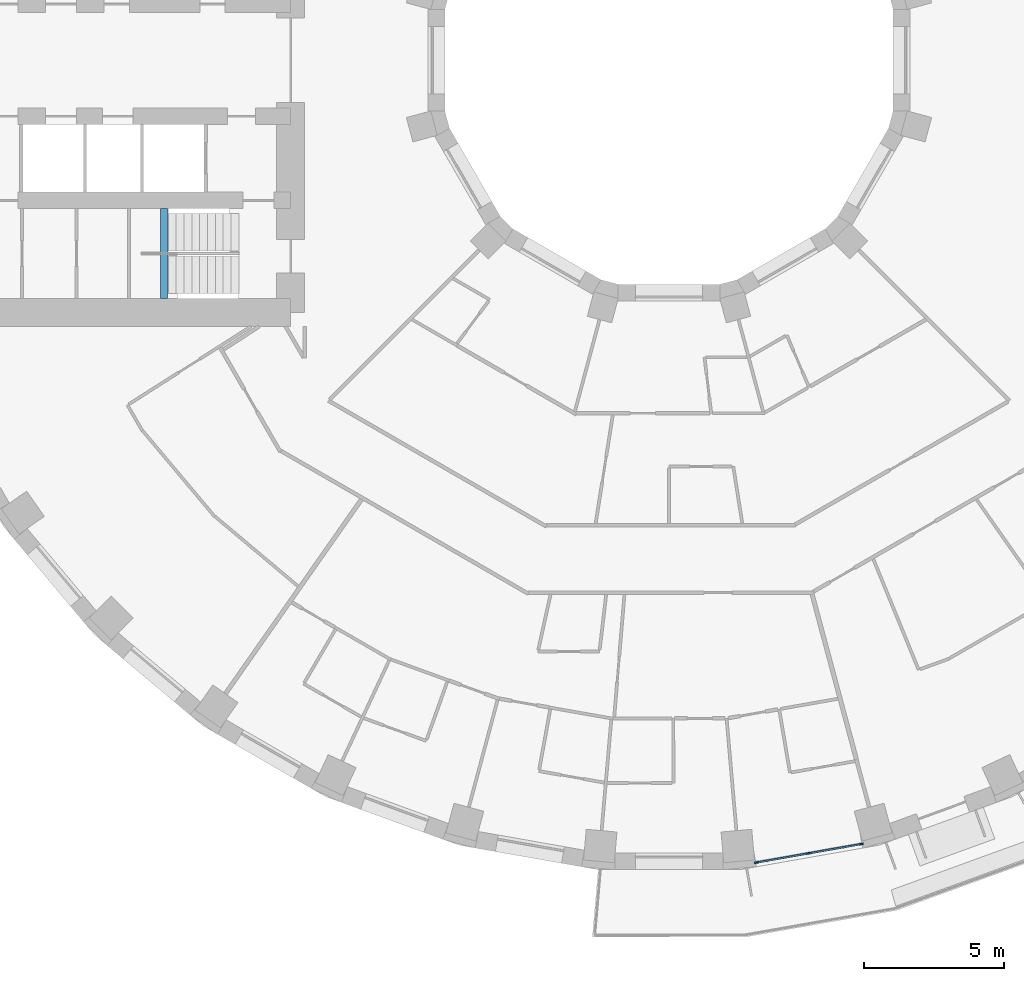
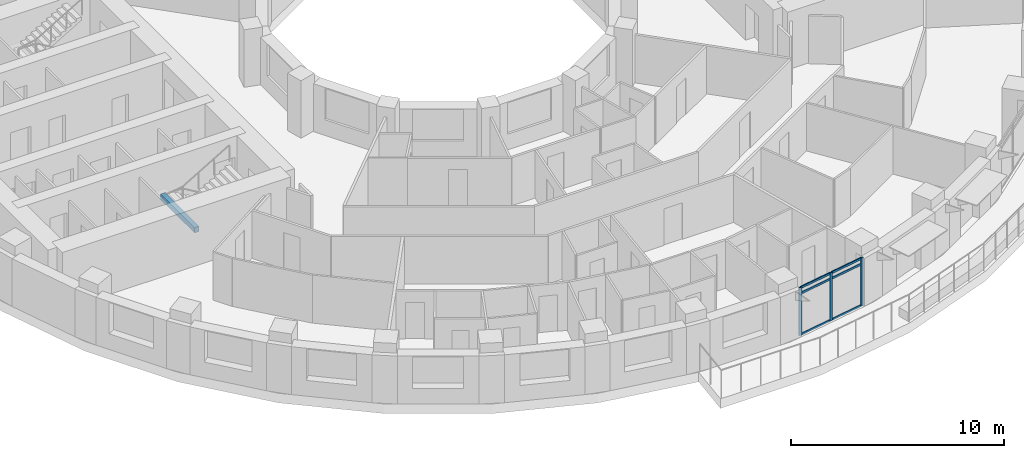
# One storey, part 2 of 17: 9 members, 1 beam, 1 element without a shape of its own.
"""IFC4 building model written with IfcOpenShell, lengths in metres."""

from ifc_helpers import new_model, si_unit, direction, frame, origin, origin_2d, place, context, subcontext, project, spatial, rectangle, extrude, material, layer, layer_set, material_profile, profile_set, type_object, element, aggregate, save


model = new_model("IFC4")

# Units and contexts
model_context = context("Model", 3, precision=1e-05, world=origin(), true_north=direction((0.0, 1.0)))
body_context = subcontext(model_context, "Body", "Model", "MODEL_VIEW")
ifc_project = project(units=[si_unit("LENGTHUNIT", "METRE"), si_unit("AREAUNIT", "SQUARE_METRE"), si_unit("VOLUMEUNIT", "CUBIC_METRE"), si_unit("PLANEANGLEUNIT", "RADIAN"), si_unit("MASSUNIT", "GRAM", prefix="KILO")], contexts=[model_context])

# Site, building, storey
site_placement = place(None, origin())
site = spatial("IfcSite", under=ifc_project, at=site_placement, CompositionType="ELEMENT")
building_placement = place(site_placement, origin())
building = spatial("IfcBuilding", under=site, at=building_placement, Name="Saqina Gate Tower", CompositionType="ELEMENT")
storey_placement = place(building_placement, frame((0.0, 0.0, 29.60009765625)))
storey = spatial("IfcBuildingStorey", under=building, at=storey_placement, Name="L07", CompositionType="ELEMENT", Elevation=29.60009765625)

# Curtain wall, members
ifc_material_1 = material(Name="Aluminium glazing", Category="aluminium")
ifc_layer = layer(ifc_material_1, 0.159912109375)
ifc_layer_set = layer_set([ifc_layer], Name="CWT-4")
curtain_wall_type = type_object("IfcCurtainWallType", Name="CWT-4", PredefinedType="NOTDEFINED", material=ifc_layer_set)
curtain_wall_placement = place(storey_placement, origin())
curtain_wall = element("IfcCurtainWall", 1, at=curtain_wall_placement, inside=storey, type_object=curtain_wall_type, Name="Terrace lounge glazing facet 28", PredefinedType="NOTDEFINED")
ifc_material_2 = material(Name="Aluminium", Category="aluminium")
ifc_material_profile_1 = material_profile(ifc_material_2, rectangle(XDim=0.06005859375, YDim=0.159912109375, at=origin_2d()), Name="Aluminium 60x160")
ifc_profile_set_1 = profile_set([ifc_material_profile_1], Name="Aluminium")
member_type_1 = type_object("IfcMemberType", Name="CWT-4M", PredefinedType="MULLION", material=ifc_profile_set_1)
member_1_placement = place(storey_placement, frame((3.12646484375, -28.631591796875, 0.0), z_axis=(0.0, 0.0, 1.0), x_axis=(-0.17364293059, 0.984808678199, 0.0)))
member_1 = element("IfcMember", 2, at=member_1_placement, type_object=member_type_1, Name="CW4-28 mullion 1", PredefinedType="MULLION", context=body_context, shape_type="SweptSolid", body=[
    extrude(rectangle(XDim=0.06005859375, YDim=0.159912109375, at=origin_2d()), origin(), (0.0, 0.0, 1.0), 2.75),
])
member_2_placement = place(storey_placement, frame((4.990478515625, -28.302978515625, 0.0), z_axis=(0.0, 0.0, 1.0), x_axis=(-0.17364293059, 0.984808678199, 0.0)))
member_2 = element("IfcMember", 3, at=member_2_placement, type_object=member_type_1, Name="CW4-28 mullion 2", PredefinedType="MULLION", context=body_context, shape_type="SweptSolid", body=[
    extrude(rectangle(XDim=0.06005859375, YDim=0.159912109375, at=origin_2d()), origin(), (0.0, 0.0, 1.0), 2.75),
])
member_3_placement = place(storey_placement, frame((6.854736328125, -27.974365234375, 0.0), z_axis=(0.0, 0.0, 1.0), x_axis=(-0.17364293059, 0.984808678199, 0.0)))
member_3 = element("IfcMember", 4, at=member_3_placement, type_object=member_type_1, Name="CW4-28 mullion 3", PredefinedType="MULLION", context=body_context, shape_type="SweptSolid", body=[
    extrude(rectangle(XDim=0.06005859375, YDim=0.159912109375, at=origin_2d()), origin(), (0.0, 0.0, 1.0), 2.75),
])
ifc_material_3 = material(Name="Aluminium", Category="aluminium")
ifc_material_profile_2 = material_profile(ifc_material_3, rectangle(XDim=0.06005859375, YDim=0.1201171875, at=origin_2d()), Name="Aluminium 60x120")
ifc_profile_set_2 = profile_set([ifc_material_profile_2], Name="Aluminium")
member_type_2 = type_object("IfcMemberType", Name="CWT-4T", PredefinedType="USERDEFINED", material=ifc_profile_set_2)
member_4_placement = place(storey_placement, frame((3.156005859375, -28.62646484375, 0.02978515625), z_axis=(0.984798306365, 0.173701743744, 0.0), x_axis=(-0.173701743744, 0.984798306365, 0.0)))
member_4 = element("IfcMember", 5, at=member_4_placement, type_object=member_type_2, Name="CW4-28 transom 1.1", ObjectType="TRANSOM", PredefinedType="USERDEFINED", context=body_context, shape_type="SweptSolid", body=[
    extrude(rectangle(XDim=0.06005859375, YDim=0.1201171875, at=origin_2d()), origin(), (0.0, 0.0, 1.0), 1.832763671875),
])
member_5_placement = place(storey_placement, frame((3.156005859375, -28.62646484375, 2.39990234375), z_axis=(0.984798306365, 0.173701743744, 0.0), x_axis=(-0.173701743744, 0.984798306365, 0.0)))
member_5 = element("IfcMember", 6, at=member_5_placement, type_object=member_type_2, Name="CW4-28 transom 1.2", ObjectType="TRANSOM", PredefinedType="USERDEFINED", context=body_context, shape_type="SweptSolid", body=[
    extrude(rectangle(XDim=0.06005859375, YDim=0.1201171875, at=origin_2d()), origin(), (0.0, 0.0, 1.0), 1.832763671875),
])
member_6_placement = place(storey_placement, frame((3.156005859375, -28.62646484375, 2.719970703125), z_axis=(0.984798306365, 0.173701743744, 0.0), x_axis=(-0.173701743744, 0.984798306365, 0.0)))
member_6 = element("IfcMember", 7, at=member_6_placement, type_object=member_type_2, Name="CW4-28 transom 1.3", ObjectType="TRANSOM", PredefinedType="USERDEFINED", context=body_context, shape_type="SweptSolid", body=[
    extrude(rectangle(XDim=0.06005859375, YDim=0.1201171875, at=origin_2d()), origin(), (0.0, 0.0, 1.0), 1.832763671875),
])
member_7_placement = place(storey_placement, frame((5.020263671875, -28.2978515625, 0.02978515625), z_axis=(0.984798306365, 0.173701743744, 0.0), x_axis=(-0.173701743744, 0.984798306365, 0.0)))
member_7 = element("IfcMember", 8, at=member_7_placement, type_object=member_type_2, Name="CW4-28 transom 2.1", ObjectType="TRANSOM", PredefinedType="USERDEFINED", context=body_context, shape_type="SweptSolid", body=[
    extrude(rectangle(XDim=0.06005859375, YDim=0.1201171875, at=origin_2d()), origin(), (0.0, 0.0, 1.0), 1.832763671875),
])
member_8_placement = place(storey_placement, frame((5.020263671875, -28.2978515625, 2.39990234375), z_axis=(0.984798306365, 0.173701743744, 0.0), x_axis=(-0.173701743744, 0.984798306365, 0.0)))
member_8 = element("IfcMember", 9, at=member_8_placement, type_object=member_type_2, Name="CW4-28 transom 2.2", ObjectType="TRANSOM", PredefinedType="USERDEFINED", context=body_context, shape_type="SweptSolid", body=[
    extrude(rectangle(XDim=0.06005859375, YDim=0.1201171875, at=origin_2d()), origin(), (0.0, 0.0, 1.0), 1.832763671875),
])
member_9_placement = place(storey_placement, frame((5.020263671875, -28.2978515625, 2.719970703125), z_axis=(0.984798306365, 0.173701743744, 0.0), x_axis=(-0.173701743744, 0.984798306365, 0.0)))
member_9 = element("IfcMember", 10, at=member_9_placement, type_object=member_type_2, Name="CW4-28 transom 2.3", ObjectType="TRANSOM", PredefinedType="USERDEFINED", context=body_context, shape_type="SweptSolid", body=[
    extrude(rectangle(XDim=0.06005859375, YDim=0.1201171875, at=origin_2d()), origin(), (0.0, 0.0, 1.0), 1.832763671875),
])
aggregate(curtain_wall, [member_1, member_2, member_3, member_4, member_5, member_6, member_7, member_8, member_9])

# Beam
ifc_material_4 = material(Name="Concrete C40/50", Category="concrete")
ifc_material_profile_3 = material_profile(ifc_material_4, rectangle(XDim=0.25, YDim=0.300048828125, at=origin_2d()), Name="STAIR LANDING BEAM")
ifc_profile_set_3 = profile_set([ifc_material_profile_3], Name="Concrete C40/50")
beam_type = type_object("IfcBeamType", Name="STAIR LANDING BEAM", PredefinedType="BEAM", material=ifc_profile_set_3)
beam_placement = place(storey_placement, frame((-18.02001953125, -8.5, 1.25), z_axis=(0.0, 1.0, 0.0), x_axis=(-1.0, 0.0, 0.0)))
element("IfcBeam", 11, at=beam_placement, inside=storey, type_object=beam_type, Name="EXIT STAIR 4 LANDING BEAM", PredefinedType="BEAM", context=body_context, shape_type="SweptSolid", body=[
    extrude(rectangle(XDim=0.25, YDim=0.300048828125, at=origin_2d()), origin(), (0.0, 0.0, 1.0), 3.199951171875),
])

save(model, "model.ifc")
